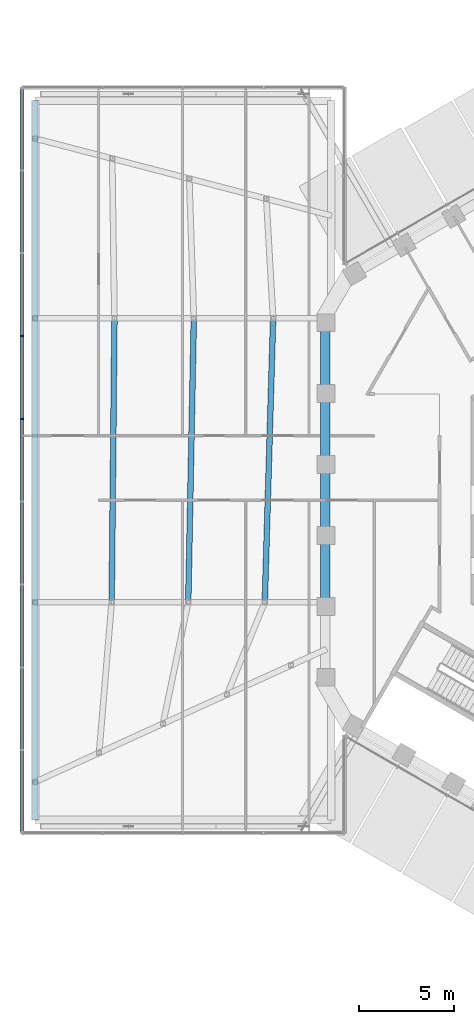
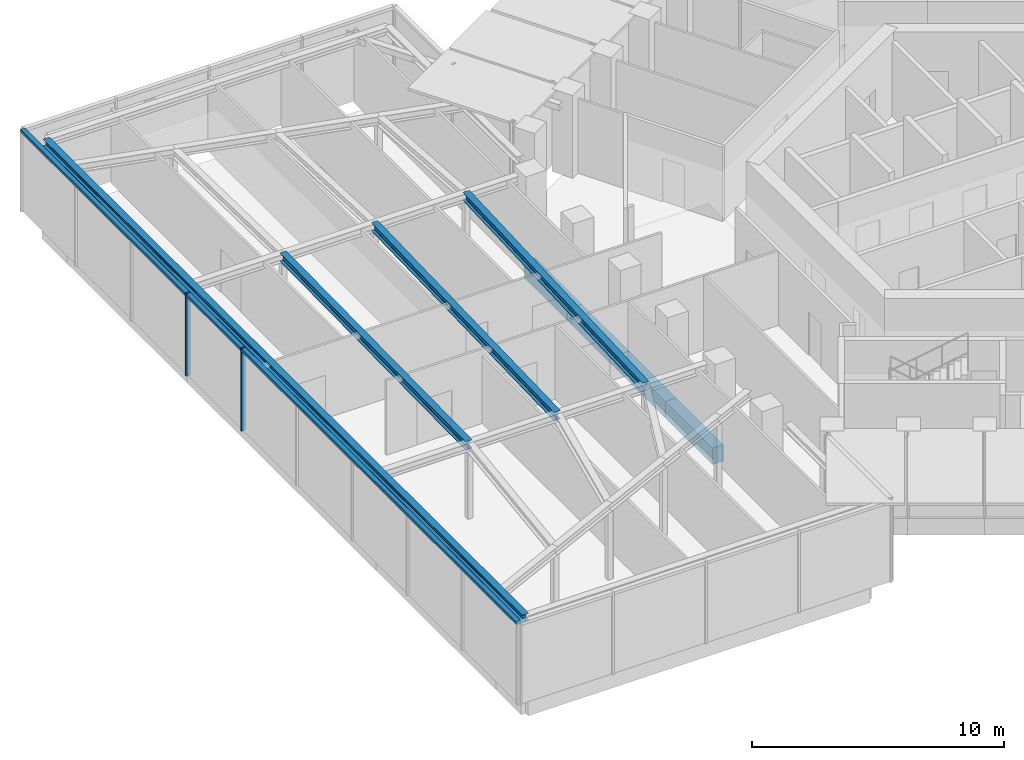
# One storey, part 4 of 24: 8 beams, 3 members, 1 element without a shape of its own.
"""IFC4 building model written with IfcOpenShell, lengths in metres."""

from ifc_helpers import new_model, si_unit, direction, frame, origin, origin_2d, place, context, subcontext, project, spatial, rectangle, i_section, extrude, material, layer, layer_set, material_profile, profile_set, type_object, element, aggregate, save


model = new_model("IFC4")

# Units and contexts
model_context = context("Model", 3, precision=1e-05, world=origin(), true_north=direction((0.0, 1.0)))
body_context = subcontext(model_context, "Body", "Model", "MODEL_VIEW")
ifc_project = project(units=[si_unit("LENGTHUNIT", "METRE"), si_unit("AREAUNIT", "SQUARE_METRE"), si_unit("VOLUMEUNIT", "CUBIC_METRE"), si_unit("PLANEANGLEUNIT", "RADIAN"), si_unit("MASSUNIT", "GRAM", prefix="KILO")], contexts=[model_context])

# Site, building, storey
site_placement = place(None, origin())
site = spatial("IfcSite", under=ifc_project, at=site_placement, CompositionType="ELEMENT")
building_placement = place(site_placement, origin())
building = spatial("IfcBuilding", under=site, at=building_placement, Name="Ayvan Gate Tower", CompositionType="ELEMENT")
storey_placement = place(building_placement, frame((0.0, 0.0, 210.10009765625)))
storey = spatial("IfcBuildingStorey", under=building, at=storey_placement, Name="L56", CompositionType="ELEMENT", Elevation=210.10009765625)

# Beams
ifc_material_1 = material(Name="Steel S460ML", Category="steel")
ifc_material_profile_1 = material_profile(ifc_material_1, i_section(OverallWidth=0.300048828125, OverallDepth=0.39990234375, WebThickness=0.013427734375, FlangeThickness=0.02392578125, FilletRadius=0.027099609375, at=origin_2d()), Name="HE 400 B")
ifc_profile_set_1 = profile_set([ifc_material_profile_1], Name="Steel S460ML")
beam_type_1 = type_object("IfcBeamType", Name="Sky bar roof beam B5 HE 400 B", PredefinedType="BEAM", material=ifc_profile_set_1)
beam_1_placement = place(storey_placement, frame((-28.332275390625, 9.60009765625, 3.5), z_axis=(-0.009813980478, -0.999951841734, 0.0), x_axis=(0.999951841734, -0.009813980478, 0.0)))
element("IfcBeam", 1, at=beam_1_placement, inside=storey, type_object=beam_type_1, Name="RX-B5-23-2", PredefinedType="BEAM", context=body_context, shape_type="SweptSolid", body=[
    extrude(i_section(OverallWidth=0.300048828125, OverallDepth=0.39990234375, WebThickness=0.013427734375, FlangeThickness=0.02392578125, FilletRadius=0.027099609375, at=origin_2d()), origin(), (0.0, 0.0, 1.0), 15.000732421875),
])
beam_2_placement = place(storey_placement, frame((-24.140380859375, 9.60009765625, 3.5), z_axis=(-0.019608859245, -0.999807727835, 0.0), x_axis=(0.999807727835, -0.019608859245, 0.0)))
element("IfcBeam", 2, at=beam_2_placement, inside=storey, type_object=beam_type_1, Name="RX-B5-23-3", PredefinedType="BEAM", context=body_context, shape_type="SweptSolid", body=[
    extrude(i_section(OverallWidth=0.300048828125, OverallDepth=0.39990234375, WebThickness=0.013427734375, FlangeThickness=0.02392578125, FilletRadius=0.027099609375, at=origin_2d()), origin(), (0.0, 0.0, 1.0), 15.0029296875),
])
beam_3_placement = place(storey_placement, frame((-19.9482421875, 9.60009765625, 3.5), z_axis=(-0.029414350363, -0.999567304384, 0.0), x_axis=(0.999567304384, -0.029414350363, 0.0)))
element("IfcBeam", 3, at=beam_3_placement, inside=storey, type_object=beam_type_1, Name="RX-B5-23-4", PredefinedType="BEAM", context=body_context, shape_type="SweptSolid", body=[
    extrude(i_section(OverallWidth=0.300048828125, OverallDepth=0.39990234375, WebThickness=0.013427734375, FlangeThickness=0.02392578125, FilletRadius=0.027099609375, at=origin_2d()), origin(), (0.0, 0.0, 1.0), 15.006591796875),
])
ifc_material_profile_2 = material_profile(ifc_material_1, i_section(OverallWidth=0.300048828125, OverallDepth=0.340087890625, WebThickness=0.011962890625, FlangeThickness=0.021484375, FilletRadius=0.027099609375, at=origin_2d()), Name="HE 340 B")
ifc_profile_set_2 = profile_set([ifc_material_profile_2], Name="Steel S460ML")
beam_type_2 = type_object("IfcBeamType", Name="Sky bar roof edge beam B5 HE 340 B", PredefinedType="BEAM", material=ifc_profile_set_2)
beam_4_placement = place(storey_placement, frame((-32.524169921875, -16.89990234375, 3.52978515625), z_axis=(0.0, 1.0, 0.0), x_axis=(-1.0, 0.0, 0.0)))
element("IfcBeam", 4, at=beam_4_placement, inside=storey, type_object=beam_type_2, Name="RE-B5-1-3", PredefinedType="BEAM", context=body_context, shape_type="SweptSolid", body=[
    extrude(i_section(OverallWidth=0.300048828125, OverallDepth=0.340087890625, WebThickness=0.011962890625, FlangeThickness=0.021484375, FilletRadius=0.027099609375, at=origin_2d()), origin(), (0.0, 0.0, 1.0), 38.0),
])
ifc_material_2 = material(Name="Concrete C40/50", Category="concrete")
ifc_material_profile_3 = material_profile(ifc_material_2, rectangle(XDim=0.5, YDim=0.800048828125, at=origin_2d()), Name="RC 500x800")
ifc_profile_set_3 = profile_set([ifc_material_profile_3], Name="Concrete C40/50")
beam_type_3 = type_object("IfcBeamType", Name="Spandrel beam RC 500x800 C40/50", PredefinedType="BEAM", material=ifc_profile_set_3)
for number, where, z_axis, x_axis, name in (
    (5, (-17.198486328125, 9.33837890625, -0.800048828125), (0.0, -1.0, 0.0), (1.0, 0.0, 0.0), "SB-L56-19"),
    (6, (-17.198486328125, 5.60302734375, -0.800048828125), (0.0, -1.0, 0.0), (1.0, 0.0, 0.0), "SB-L56-20"),
    (7, (-17.198486328125, 1.86767578125, -0.800048828125), (0.0, -1.0, 0.0), (1.0, 0.0, 0.0), "SB-L56-21"),
    (8, (-17.198486328125, -1.86767578125, -0.800048828125), (0.0, -1.0, 0.0), (1.0, 0.0, 0.0), "SB-L56-22"),
):
    element("IfcBeam", number, at=place(storey_placement, frame(where, z_axis=z_axis, x_axis=x_axis)), inside=storey, type_object=beam_type_3, Name=name, PredefinedType="BEAM", context=body_context, shape_type="SweptSolid", body=[
        extrude(rectangle(XDim=0.5, YDim=0.800048828125, at=origin_2d()), origin(), (0.0, 0.0, 1.0), 3.7353515625),
    ])

# Curtain wall, members
ifc_material_3 = material(Name="Bronze anodised aluminium", Category="aluminium")
ifc_layer = layer(ifc_material_3, 0.199951171875)
ifc_layer_set = layer_set([ifc_layer], Name="Bronze anodised aluminium")
curtain_wall_type = type_object("IfcCurtainWallType", Name="Stick curtain wall CW-4", PredefinedType="NOTDEFINED", material=ifc_layer_set)
curtain_wall_placement = place(storey_placement, origin())
curtain_wall = element("IfcCurtainWall", 9, at=curtain_wall_placement, inside=storey, type_object=curtain_wall_type, Name="Stick curtain wall CW-4 L56", PredefinedType="NOTDEFINED")
ifc_material_profile_4 = material_profile(ifc_material_3, rectangle(XDim=0.199951171875, YDim=0.080078125, at=origin_2d()), Name="Stick curtain wall CW-4 mullion 200 x 80")
ifc_profile_set_4 = profile_set([ifc_material_profile_4], Name="Bronze anodised aluminium")
member_type_1 = type_object("IfcMemberType", Name="Stick curtain wall CW-4 mullion 200 x 80", PredefinedType="MULLION", material=ifc_profile_set_4)
member_1_placement = place(storey_placement, frame((-33.224365234375, 8.666748046875, 0.0), z_axis=(0.0, 0.0, 1.0), x_axis=(-1.0, 0.0, 0.0)))
member_1 = element("IfcMember", 10, at=member_1_placement, type_object=member_type_1, Name="CW-4 mullion 4", PredefinedType="MULLION", context=body_context, shape_type="SweptSolid", body=[
    extrude(rectangle(XDim=0.199951171875, YDim=0.080078125, at=origin_2d()), origin(), (0.0, 0.0, 1.0), 4.0),
])
member_2_placement = place(storey_placement, frame((-33.224365234375, 4.288818359375, 0.0), z_axis=(0.0, 0.0, 1.0), x_axis=(-1.0, 0.0, 0.0)))
member_2 = element("IfcMember", 11, at=member_2_placement, type_object=member_type_1, Name="CW-4 mullion 5", PredefinedType="MULLION", context=body_context, shape_type="SweptSolid", body=[
    extrude(rectangle(XDim=0.199951171875, YDim=0.080078125, at=origin_2d()), origin(), (0.0, 0.0, 1.0), 4.0),
])
ifc_material_profile_5 = material_profile(ifc_material_3, rectangle(XDim=0.199951171875, YDim=0.139892578125, at=origin_2d()), Name="Stick curtain wall CW-4 transom 200 x 140")
ifc_profile_set_5 = profile_set([ifc_material_profile_5], Name="Bronze anodised aluminium")
member_type_2 = type_object("IfcMemberType", Name="Stick curtain wall CW-4 transom 200 x 140", PredefinedType="USERDEFINED", material=ifc_profile_set_5)
member_3_placement = place(storey_placement, frame((-33.224365234375, 21.760009765625, 3.929931640625), z_axis=(0.0, -1.0, 0.0), x_axis=(1.0, 0.0, 0.0)))
member_3 = element("IfcMember", 12, at=member_3_placement, type_object=member_type_2, Name="CW-4 transom 1", ObjectType="TRANSOM", PredefinedType="USERDEFINED", context=body_context, shape_type="SweptSolid", body=[
    extrude(rectangle(XDim=0.199951171875, YDim=0.139892578125, at=origin_2d()), origin(), (0.0, 0.0, 1.0), 39.320068359375),
])
aggregate(curtain_wall, [member_1, member_2, member_3])

save(model, "model.ifc")
